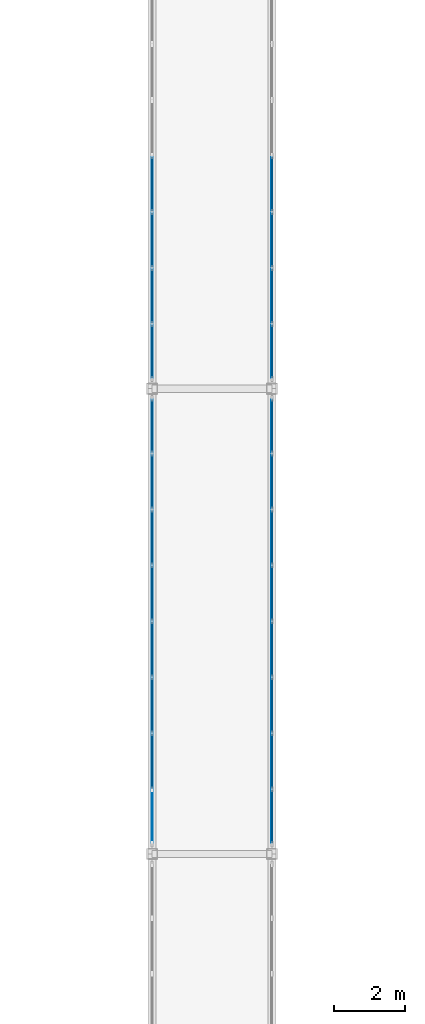
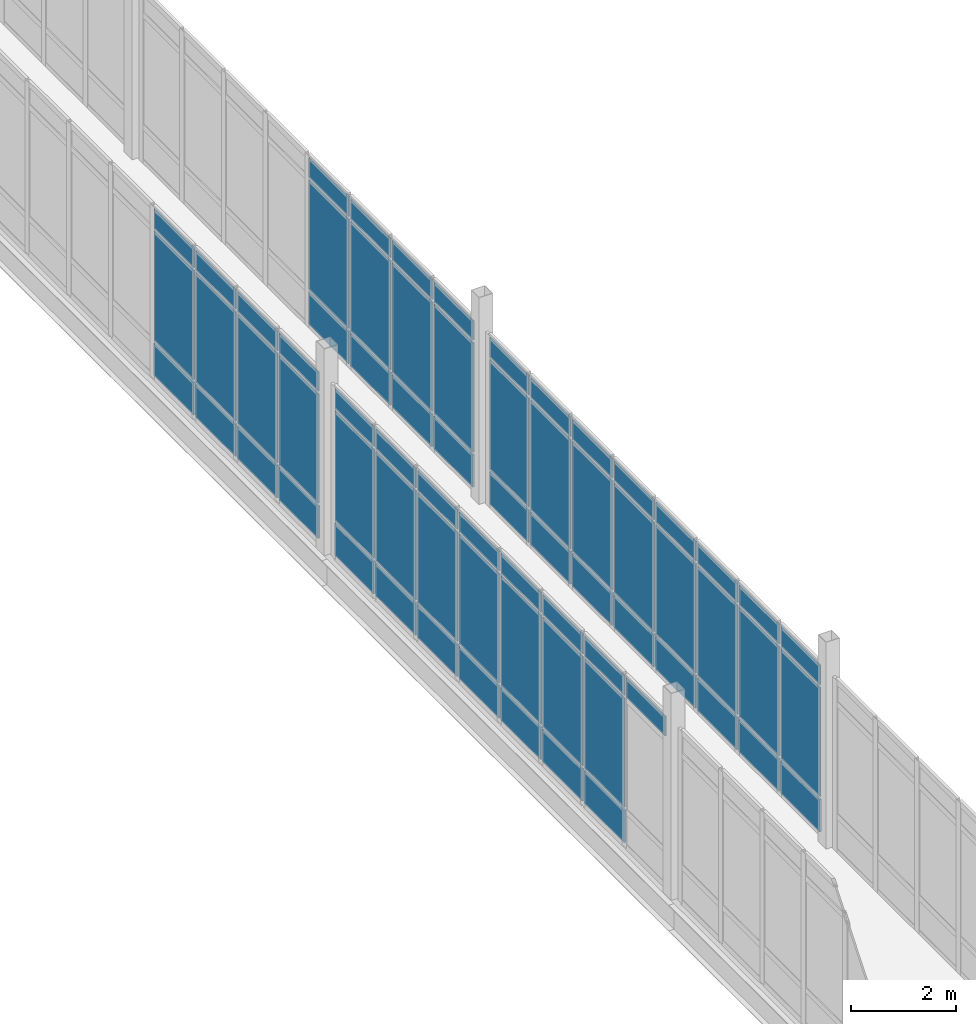
# One storey, part 75 of 125: 70 plates, 4 elements without a shape of their own.
"""IFC4 building model written with IfcOpenShell, lengths in metres."""

from ifc_helpers import new_model, si_unit, direction, frame, origin, origin_2d, place, context, subcontext, project, spatial, rectangle, extrude, material, layer, layer_set, type_object, element, aggregate, save


model = new_model("IFC4")

# Units and contexts
model_context = context("Model", 3, precision=1e-05, world=origin(), true_north=direction((0.0, 1.0)))
body_context = subcontext(model_context, "Body", "Model", "MODEL_VIEW")
ifc_project = project(units=[si_unit("LENGTHUNIT", "METRE"), si_unit("AREAUNIT", "SQUARE_METRE"), si_unit("VOLUMEUNIT", "CUBIC_METRE"), si_unit("PLANEANGLEUNIT", "RADIAN"), si_unit("MASSUNIT", "GRAM", prefix="KILO")], contexts=[model_context])

# Site, building, storey
site_placement = place(None, origin())
site = spatial("IfcSite", under=ifc_project, at=site_placement, CompositionType="ELEMENT")
building_placement = place(site_placement, origin())
building = spatial("IfcBuilding", under=site, at=building_placement, Name="Dornvale Research Institute", CompositionType="ELEMENT")
storey_placement = place(building_placement, frame((0.0, 0.0, 5.39990234375)))
storey = spatial("IfcBuildingStorey", under=building, at=storey_placement, Name="L01", CompositionType="ELEMENT", Elevation=5.39990234375)

# Curtain wall, plates
ifc_material_1 = material(Name="Low-E Argon Double Insulating Glazing Unit", Category="glass")
curtain_wall_type = type_object("IfcCurtainWallType", Name="UnitisedCurtainWall_V2_12700x4000", PredefinedType="USERDEFINED", material=ifc_material_1)
curtain_wall_1_placement = place(storey_placement, origin())
curtain_wall_1 = element("IfcCurtainWall", 1, at=curtain_wall_1_placement, inside=storey, type_object=curtain_wall_type, Name="L01 V2 unitised curtain wall CW-42 #233", ObjectType="UNITISED CURTAIN WALL", PredefinedType="USERDEFINED")
ifc_material_2 = material(Name="Insulated Ceramic-Frit Spandrel Glass Panel", Category="glass")
ifc_layer_1 = layer(ifc_material_2, 0.0419921875)
ifc_layer_set_1 = layer_set([ifc_layer_1], Name="Insulated Ceramic-Frit Spandrel Glass Panel")
plate_type_1 = type_object("IfcPlateType", Name="CurtainPanel_Spandrel_42", PredefinedType="CURTAIN_PANEL", material=ifc_layer_set_1)
plate_1_placement = place(storey_placement, frame((140.199951171875, 42.231201171875, 0.065185546875), z_axis=(0.0, 0.0, 1.0), x_axis=(0.0, 1.0, 0.0)))
plate_1 = element("IfcPlate", 2, at=plate_1_placement, type_object=plate_type_1, Name="CW-42 panel 2.1", PredefinedType="CURTAIN_PANEL", context=body_context, shape_type="SweptSolid", body=[
    extrude(rectangle(XDim=1.5224609375, YDim=0.0419921875, at=origin_2d()), origin(), (0.0, 0.0, 1.0), 0.75244140625),
])
plate_2_placement = place(storey_placement, frame((140.199951171875, 43.81884765625, 0.065185546875), z_axis=(0.0, 0.0, 1.0), x_axis=(0.0, 1.0, 0.0)))
plate_2 = element("IfcPlate", 3, at=plate_2_placement, type_object=plate_type_1, Name="CW-42 panel 3.1", PredefinedType="CURTAIN_PANEL", context=body_context, shape_type="SweptSolid", body=[
    extrude(rectangle(XDim=1.5224609375, YDim=0.0419921875, at=origin_2d()), origin(), (0.0, 0.0, 1.0), 0.75244140625),
])
plate_3_placement = place(storey_placement, frame((140.199951171875, 45.40625, 0.065185546875), z_axis=(0.0, 0.0, 1.0), x_axis=(0.0, 1.0, 0.0)))
plate_3 = element("IfcPlate", 4, at=plate_3_placement, type_object=plate_type_1, Name="CW-42 panel 4.1", PredefinedType="CURTAIN_PANEL", context=body_context, shape_type="SweptSolid", body=[
    extrude(rectangle(XDim=1.5224609375, YDim=0.0419921875, at=origin_2d()), origin(), (0.0, 0.0, 1.0), 0.75244140625),
])
plate_4_placement = place(storey_placement, frame((140.199951171875, 46.99365234375, 0.065185546875), z_axis=(0.0, 0.0, 1.0), x_axis=(0.0, 1.0, 0.0)))
plate_4 = element("IfcPlate", 5, at=plate_4_placement, type_object=plate_type_1, Name="CW-42 panel 5.1", PredefinedType="CURTAIN_PANEL", context=body_context, shape_type="SweptSolid", body=[
    extrude(rectangle(XDim=1.5224609375, YDim=0.0419921875, at=origin_2d()), origin(), (0.0, 0.0, 1.0), 0.75244140625),
])
plate_5_placement = place(storey_placement, frame((140.199951171875, 48.581298828125, 0.065185546875), z_axis=(0.0, 0.0, 1.0), x_axis=(0.0, 1.0, 0.0)))
plate_5 = element("IfcPlate", 6, at=plate_5_placement, type_object=plate_type_1, Name="CW-42 panel 6.1", PredefinedType="CURTAIN_PANEL", context=body_context, shape_type="SweptSolid", body=[
    extrude(rectangle(XDim=1.5224609375, YDim=0.0419921875, at=origin_2d()), origin(), (0.0, 0.0, 1.0), 0.75244140625),
])
plate_6_placement = place(storey_placement, frame((140.199951171875, 50.168701171875, 0.065185546875), z_axis=(0.0, 0.0, 1.0), x_axis=(0.0, 1.0, 0.0)))
plate_6 = element("IfcPlate", 7, at=plate_6_placement, type_object=plate_type_1, Name="CW-42 panel 7.1", PredefinedType="CURTAIN_PANEL", context=body_context, shape_type="SweptSolid", body=[
    extrude(rectangle(XDim=1.5224609375, YDim=0.0419921875, at=origin_2d()), origin(), (0.0, 0.0, 1.0), 0.75244140625),
])
plate_7_placement = place(storey_placement, frame((140.199951171875, 51.739990234375, 0.065185546875), z_axis=(0.0, 0.0, 1.0), x_axis=(0.0, 1.0, 0.0)))
plate_7 = element("IfcPlate", 8, at=plate_7_placement, type_object=plate_type_1, Name="CW-42 panel 8.1", PredefinedType="CURTAIN_PANEL", context=body_context, shape_type="SweptSolid", body=[
    extrude(rectangle(XDim=1.489990234375, YDim=0.0419921875, at=origin_2d()), origin(), (0.0, 0.0, 1.0), 0.75244140625),
])

curtain_wall_2_placement = place(storey_placement, origin())
curtain_wall_2 = element("IfcCurtainWall", 9, at=curtain_wall_2_placement, inside=storey, type_object=curtain_wall_type, Name="L01 V2 unitised curtain wall CW-42 #234", ObjectType="UNITISED CURTAIN WALL", PredefinedType="USERDEFINED")
plate_8_placement = place(storey_placement, frame((143.60009765625, 51.739990234375, 0.065185546875), z_axis=(0.0, 0.0, 1.0), x_axis=(0.0, -1.0, 0.0)))
plate_8 = element("IfcPlate", 10, at=plate_8_placement, type_object=plate_type_1, Name="CW-42 panel 1.1", PredefinedType="CURTAIN_PANEL", context=body_context, shape_type="SweptSolid", body=[
    extrude(rectangle(XDim=1.489990234375, YDim=0.0419921875, at=origin_2d()), origin(), (0.0, 0.0, 1.0), 0.75244140625),
])
plate_9_placement = place(storey_placement, frame((143.60009765625, 50.168701171875, 0.065185546875), z_axis=(0.0, 0.0, 1.0), x_axis=(0.0, -1.0, 0.0)))
plate_9 = element("IfcPlate", 11, at=plate_9_placement, type_object=plate_type_1, Name="CW-42 panel 2.1", PredefinedType="CURTAIN_PANEL", context=body_context, shape_type="SweptSolid", body=[
    extrude(rectangle(XDim=1.5224609375, YDim=0.0419921875, at=origin_2d()), origin(), (0.0, 0.0, 1.0), 0.75244140625),
])
plate_10_placement = place(storey_placement, frame((143.60009765625, 48.581298828125, 0.065185546875), z_axis=(0.0, 0.0, 1.0), x_axis=(0.0, -1.0, 0.0)))
plate_10 = element("IfcPlate", 12, at=plate_10_placement, type_object=plate_type_1, Name="CW-42 panel 3.1", PredefinedType="CURTAIN_PANEL", context=body_context, shape_type="SweptSolid", body=[
    extrude(rectangle(XDim=1.5224609375, YDim=0.0419921875, at=origin_2d()), origin(), (0.0, 0.0, 1.0), 0.75244140625),
])
plate_11_placement = place(storey_placement, frame((143.60009765625, 46.99365234375, 0.065185546875), z_axis=(0.0, 0.0, 1.0), x_axis=(0.0, -1.0, 0.0)))
plate_11 = element("IfcPlate", 13, at=plate_11_placement, type_object=plate_type_1, Name="CW-42 panel 4.1", PredefinedType="CURTAIN_PANEL", context=body_context, shape_type="SweptSolid", body=[
    extrude(rectangle(XDim=1.5224609375, YDim=0.0419921875, at=origin_2d()), origin(), (0.0, 0.0, 1.0), 0.75244140625),
])
plate_12_placement = place(storey_placement, frame((143.60009765625, 45.40625, 0.065185546875), z_axis=(0.0, 0.0, 1.0), x_axis=(0.0, -1.0, 0.0)))
plate_12 = element("IfcPlate", 14, at=plate_12_placement, type_object=plate_type_1, Name="CW-42 panel 5.1", PredefinedType="CURTAIN_PANEL", context=body_context, shape_type="SweptSolid", body=[
    extrude(rectangle(XDim=1.5224609375, YDim=0.0419921875, at=origin_2d()), origin(), (0.0, 0.0, 1.0), 0.75244140625),
])
plate_13_placement = place(storey_placement, frame((143.60009765625, 43.81884765625, 0.065185546875), z_axis=(0.0, 0.0, 1.0), x_axis=(0.0, -1.0, 0.0)))
plate_13 = element("IfcPlate", 15, at=plate_13_placement, type_object=plate_type_1, Name="CW-42 panel 6.1", PredefinedType="CURTAIN_PANEL", context=body_context, shape_type="SweptSolid", body=[
    extrude(rectangle(XDim=1.5224609375, YDim=0.0419921875, at=origin_2d()), origin(), (0.0, 0.0, 1.0), 0.75244140625),
])
plate_14_placement = place(storey_placement, frame((143.60009765625, 42.231201171875, 0.065185546875), z_axis=(0.0, 0.0, 1.0), x_axis=(0.0, -1.0, 0.0)))
plate_14 = element("IfcPlate", 16, at=plate_14_placement, type_object=plate_type_1, Name="CW-42 panel 7.1", PredefinedType="CURTAIN_PANEL", context=body_context, shape_type="SweptSolid", body=[
    extrude(rectangle(XDim=1.5224609375, YDim=0.0419921875, at=origin_2d()), origin(), (0.0, 0.0, 1.0), 0.75244140625),
])
plate_15_placement = place(storey_placement, frame((143.60009765625, 40.659912109375, 0.065185546875), z_axis=(0.0, 0.0, 1.0), x_axis=(0.0, -1.0, 0.0)))
plate_15 = element("IfcPlate", 17, at=plate_15_placement, type_object=plate_type_1, Name="CW-42 panel 8.1", PredefinedType="CURTAIN_PANEL", context=body_context, shape_type="SweptSolid", body=[
    extrude(rectangle(XDim=1.489990234375, YDim=0.0419921875, at=origin_2d()), origin(), (0.0, 0.0, 1.0), 0.75244140625),
])

curtain_wall_3_placement = place(storey_placement, origin())
curtain_wall_3 = element("IfcCurtainWall", 18, at=curtain_wall_3_placement, inside=storey, type_object=curtain_wall_type, Name="L01 V2 unitised curtain wall CW-42 #235", ObjectType="UNITISED CURTAIN WALL", PredefinedType="USERDEFINED")
plate_16_placement = place(storey_placement, frame((140.199951171875, 53.860107421875, 0.065185546875), z_axis=(0.0, 0.0, 1.0), x_axis=(0.0, 1.0, 0.0)))
plate_16 = element("IfcPlate", 19, at=plate_16_placement, type_object=plate_type_1, Name="CW-42 panel 1.1", PredefinedType="CURTAIN_PANEL", context=body_context, shape_type="SweptSolid", body=[
    extrude(rectangle(XDim=1.489990234375, YDim=0.0419921875, at=origin_2d()), origin(), (0.0, 0.0, 1.0), 0.75244140625),
])
plate_17_placement = place(storey_placement, frame((140.199951171875, 55.43115234375, 0.065185546875), z_axis=(0.0, 0.0, 1.0), x_axis=(0.0, 1.0, 0.0)))
plate_17 = element("IfcPlate", 20, at=plate_17_placement, type_object=plate_type_1, Name="CW-42 panel 2.1", PredefinedType="CURTAIN_PANEL", context=body_context, shape_type="SweptSolid", body=[
    extrude(rectangle(XDim=1.5224609375, YDim=0.0419921875, at=origin_2d()), origin(), (0.0, 0.0, 1.0), 0.75244140625),
])
plate_18_placement = place(storey_placement, frame((140.199951171875, 57.018798828125, 0.065185546875), z_axis=(0.0, 0.0, 1.0), x_axis=(0.0, 1.0, 0.0)))
plate_18 = element("IfcPlate", 21, at=plate_18_placement, type_object=plate_type_1, Name="CW-42 panel 3.1", PredefinedType="CURTAIN_PANEL", context=body_context, shape_type="SweptSolid", body=[
    extrude(rectangle(XDim=1.5224609375, YDim=0.0419921875, at=origin_2d()), origin(), (0.0, 0.0, 1.0), 0.75244140625),
])
plate_19_placement = place(storey_placement, frame((140.199951171875, 58.606201171875, 0.065185546875), z_axis=(0.0, 0.0, 1.0), x_axis=(0.0, 1.0, 0.0)))
plate_19 = element("IfcPlate", 22, at=plate_19_placement, type_object=plate_type_1, Name="CW-42 panel 4.1", PredefinedType="CURTAIN_PANEL", context=body_context, shape_type="SweptSolid", body=[
    extrude(rectangle(XDim=1.5224609375, YDim=0.0419921875, at=origin_2d()), origin(), (0.0, 0.0, 1.0), 0.75244140625),
])

curtain_wall_4_placement = place(storey_placement, origin())
curtain_wall_4 = element("IfcCurtainWall", 23, at=curtain_wall_4_placement, inside=storey, type_object=curtain_wall_type, Name="L01 V2 unitised curtain wall CW-42 #236", ObjectType="UNITISED CURTAIN WALL", PredefinedType="USERDEFINED")
plate_20_placement = place(storey_placement, frame((143.60009765625, 58.606201171875, 0.065185546875), z_axis=(0.0, 0.0, 1.0), x_axis=(0.0, -1.0, 0.0)))
plate_20 = element("IfcPlate", 24, at=plate_20_placement, type_object=plate_type_1, Name="CW-42 panel 5.1", PredefinedType="CURTAIN_PANEL", context=body_context, shape_type="SweptSolid", body=[
    extrude(rectangle(XDim=1.5224609375, YDim=0.0419921875, at=origin_2d()), origin(), (0.0, 0.0, 1.0), 0.75244140625),
])
plate_21_placement = place(storey_placement, frame((143.60009765625, 57.018798828125, 0.065185546875), z_axis=(0.0, 0.0, 1.0), x_axis=(0.0, -1.0, 0.0)))
plate_21 = element("IfcPlate", 25, at=plate_21_placement, type_object=plate_type_1, Name="CW-42 panel 6.1", PredefinedType="CURTAIN_PANEL", context=body_context, shape_type="SweptSolid", body=[
    extrude(rectangle(XDim=1.5224609375, YDim=0.0419921875, at=origin_2d()), origin(), (0.0, 0.0, 1.0), 0.75244140625),
])
plate_22_placement = place(storey_placement, frame((143.60009765625, 55.43115234375, 0.065185546875), z_axis=(0.0, 0.0, 1.0), x_axis=(0.0, -1.0, 0.0)))
plate_22 = element("IfcPlate", 26, at=plate_22_placement, type_object=plate_type_1, Name="CW-42 panel 7.1", PredefinedType="CURTAIN_PANEL", context=body_context, shape_type="SweptSolid", body=[
    extrude(rectangle(XDim=1.5224609375, YDim=0.0419921875, at=origin_2d()), origin(), (0.0, 0.0, 1.0), 0.75244140625),
])
plate_23_placement = place(storey_placement, frame((143.60009765625, 53.860107421875, 0.065185546875), z_axis=(0.0, 0.0, 1.0), x_axis=(0.0, -1.0, 0.0)))
plate_23 = element("IfcPlate", 27, at=plate_23_placement, type_object=plate_type_1, Name="CW-42 panel 8.1", PredefinedType="CURTAIN_PANEL", context=body_context, shape_type="SweptSolid", body=[
    extrude(rectangle(XDim=1.489990234375, YDim=0.0419921875, at=origin_2d()), origin(), (0.0, 0.0, 1.0), 0.75244140625),
])

# Plate
ifc_material_3 = material(Name="Low-E Argon Double Insulating Glazing Unit", Category="glass")
ifc_layer_2 = layer(ifc_material_3, 0.028076171875)
ifc_layer_set_2 = layer_set([ifc_layer_2], Name="Low-E Argon Double Insulating Glazing Unit")
plate_type_2 = type_object("IfcPlateType", Name="CurtainPanel_Vision_28", PredefinedType="CURTAIN_PANEL", material=ifc_layer_set_2)
plate_24_placement = place(storey_placement, frame((140.199951171875, 40.659912109375, 3.482421875), z_axis=(0.0, 0.0, 1.0), x_axis=(0.0, 1.0, 0.0)))
plate_24 = element("IfcPlate", 28, at=plate_24_placement, type_object=plate_type_2, Name="CW-42 panel 1.3", PredefinedType="CURTAIN_PANEL", context=body_context, shape_type="SweptSolid", body=[
    extrude(rectangle(XDim=1.489990234375, YDim=0.028076171875, at=origin_2d()), origin(), (0.0, 0.0, 1.0), 0.452392578125),
])

plate_25_placement = place(storey_placement, frame((140.199951171875, 42.231201171875, 0.8828125), z_axis=(0.0, 0.0, 1.0), x_axis=(0.0, 1.0, 0.0)))
plate_25 = element("IfcPlate", 29, at=plate_25_placement, type_object=plate_type_2, Name="CW-42 panel 2.2", PredefinedType="CURTAIN_PANEL", context=body_context, shape_type="SweptSolid", body=[
    extrude(rectangle(XDim=1.5224609375, YDim=0.028076171875, at=origin_2d()), origin(), (0.0, 0.0, 1.0), 2.534912109375),
])

plate_26_placement = place(storey_placement, frame((140.199951171875, 42.231201171875, 3.482421875), z_axis=(0.0, 0.0, 1.0), x_axis=(0.0, 1.0, 0.0)))
plate_26 = element("IfcPlate", 30, at=plate_26_placement, type_object=plate_type_2, Name="CW-42 panel 2.3", PredefinedType="CURTAIN_PANEL", context=body_context, shape_type="SweptSolid", body=[
    extrude(rectangle(XDim=1.5224609375, YDim=0.028076171875, at=origin_2d()), origin(), (0.0, 0.0, 1.0), 0.452392578125),
])

plate_27_placement = place(storey_placement, frame((140.199951171875, 43.81884765625, 0.8828125), z_axis=(0.0, 0.0, 1.0), x_axis=(0.0, 1.0, 0.0)))
plate_27 = element("IfcPlate", 31, at=plate_27_placement, type_object=plate_type_2, Name="CW-42 panel 3.2", PredefinedType="CURTAIN_PANEL", context=body_context, shape_type="SweptSolid", body=[
    extrude(rectangle(XDim=1.5224609375, YDim=0.028076171875, at=origin_2d()), origin(), (0.0, 0.0, 1.0), 2.534912109375),
])

plate_28_placement = place(storey_placement, frame((140.199951171875, 43.81884765625, 3.482421875), z_axis=(0.0, 0.0, 1.0), x_axis=(0.0, 1.0, 0.0)))
plate_28 = element("IfcPlate", 32, at=plate_28_placement, type_object=plate_type_2, Name="CW-42 panel 3.3", PredefinedType="CURTAIN_PANEL", context=body_context, shape_type="SweptSolid", body=[
    extrude(rectangle(XDim=1.5224609375, YDim=0.028076171875, at=origin_2d()), origin(), (0.0, 0.0, 1.0), 0.452392578125),
])

plate_29_placement = place(storey_placement, frame((140.199951171875, 45.40625, 0.8828125), z_axis=(0.0, 0.0, 1.0), x_axis=(0.0, 1.0, 0.0)))
plate_29 = element("IfcPlate", 33, at=plate_29_placement, type_object=plate_type_2, Name="CW-42 panel 4.2", PredefinedType="CURTAIN_PANEL", context=body_context, shape_type="SweptSolid", body=[
    extrude(rectangle(XDim=1.5224609375, YDim=0.028076171875, at=origin_2d()), origin(), (0.0, 0.0, 1.0), 2.534912109375),
])

plate_30_placement = place(storey_placement, frame((140.199951171875, 45.40625, 3.482421875), z_axis=(0.0, 0.0, 1.0), x_axis=(0.0, 1.0, 0.0)))
plate_30 = element("IfcPlate", 34, at=plate_30_placement, type_object=plate_type_2, Name="CW-42 panel 4.3", PredefinedType="CURTAIN_PANEL", context=body_context, shape_type="SweptSolid", body=[
    extrude(rectangle(XDim=1.5224609375, YDim=0.028076171875, at=origin_2d()), origin(), (0.0, 0.0, 1.0), 0.452392578125),
])

plate_31_placement = place(storey_placement, frame((140.199951171875, 46.99365234375, 0.8828125), z_axis=(0.0, 0.0, 1.0), x_axis=(0.0, 1.0, 0.0)))
plate_31 = element("IfcPlate", 35, at=plate_31_placement, type_object=plate_type_2, Name="CW-42 panel 5.2", PredefinedType="CURTAIN_PANEL", context=body_context, shape_type="SweptSolid", body=[
    extrude(rectangle(XDim=1.5224609375, YDim=0.028076171875, at=origin_2d()), origin(), (0.0, 0.0, 1.0), 2.534912109375),
])

plate_32_placement = place(storey_placement, frame((140.199951171875, 46.99365234375, 3.482421875), z_axis=(0.0, 0.0, 1.0), x_axis=(0.0, 1.0, 0.0)))
plate_32 = element("IfcPlate", 36, at=plate_32_placement, type_object=plate_type_2, Name="CW-42 panel 5.3", PredefinedType="CURTAIN_PANEL", context=body_context, shape_type="SweptSolid", body=[
    extrude(rectangle(XDim=1.5224609375, YDim=0.028076171875, at=origin_2d()), origin(), (0.0, 0.0, 1.0), 0.452392578125),
])

plate_33_placement = place(storey_placement, frame((140.199951171875, 48.581298828125, 0.8828125), z_axis=(0.0, 0.0, 1.0), x_axis=(0.0, 1.0, 0.0)))
plate_33 = element("IfcPlate", 37, at=plate_33_placement, type_object=plate_type_2, Name="CW-42 panel 6.2", PredefinedType="CURTAIN_PANEL", context=body_context, shape_type="SweptSolid", body=[
    extrude(rectangle(XDim=1.5224609375, YDim=0.028076171875, at=origin_2d()), origin(), (0.0, 0.0, 1.0), 2.534912109375),
])

plate_34_placement = place(storey_placement, frame((140.199951171875, 48.581298828125, 3.482421875), z_axis=(0.0, 0.0, 1.0), x_axis=(0.0, 1.0, 0.0)))
plate_34 = element("IfcPlate", 38, at=plate_34_placement, type_object=plate_type_2, Name="CW-42 panel 6.3", PredefinedType="CURTAIN_PANEL", context=body_context, shape_type="SweptSolid", body=[
    extrude(rectangle(XDim=1.5224609375, YDim=0.028076171875, at=origin_2d()), origin(), (0.0, 0.0, 1.0), 0.452392578125),
])

plate_35_placement = place(storey_placement, frame((140.199951171875, 50.168701171875, 0.8828125), z_axis=(0.0, 0.0, 1.0), x_axis=(0.0, 1.0, 0.0)))
plate_35 = element("IfcPlate", 39, at=plate_35_placement, type_object=plate_type_2, Name="CW-42 panel 7.2", PredefinedType="CURTAIN_PANEL", context=body_context, shape_type="SweptSolid", body=[
    extrude(rectangle(XDim=1.5224609375, YDim=0.028076171875, at=origin_2d()), origin(), (0.0, 0.0, 1.0), 2.534912109375),
])

plate_36_placement = place(storey_placement, frame((140.199951171875, 50.168701171875, 3.482421875), z_axis=(0.0, 0.0, 1.0), x_axis=(0.0, 1.0, 0.0)))
plate_36 = element("IfcPlate", 40, at=plate_36_placement, type_object=plate_type_2, Name="CW-42 panel 7.3", PredefinedType="CURTAIN_PANEL", context=body_context, shape_type="SweptSolid", body=[
    extrude(rectangle(XDim=1.5224609375, YDim=0.028076171875, at=origin_2d()), origin(), (0.0, 0.0, 1.0), 0.452392578125),
])

plate_37_placement = place(storey_placement, frame((140.199951171875, 51.739990234375, 0.8828125), z_axis=(0.0, 0.0, 1.0), x_axis=(0.0, 1.0, 0.0)))
plate_37 = element("IfcPlate", 41, at=plate_37_placement, type_object=plate_type_2, Name="CW-42 panel 8.2", PredefinedType="CURTAIN_PANEL", context=body_context, shape_type="SweptSolid", body=[
    extrude(rectangle(XDim=1.489990234375, YDim=0.028076171875, at=origin_2d()), origin(), (0.0, 0.0, 1.0), 2.534912109375),
])

plate_38_placement = place(storey_placement, frame((140.199951171875, 51.739990234375, 3.482421875), z_axis=(0.0, 0.0, 1.0), x_axis=(0.0, 1.0, 0.0)))
plate_38 = element("IfcPlate", 42, at=plate_38_placement, type_object=plate_type_2, Name="CW-42 panel 8.3", PredefinedType="CURTAIN_PANEL", context=body_context, shape_type="SweptSolid", body=[
    extrude(rectangle(XDim=1.489990234375, YDim=0.028076171875, at=origin_2d()), origin(), (0.0, 0.0, 1.0), 0.452392578125),
])

aggregate(curtain_wall_1, [plate_24, plate_1, plate_25, plate_26, plate_2, plate_27, plate_28, plate_3, plate_29, plate_30, plate_4, plate_31, plate_32, plate_5, plate_33, plate_34, plate_6, plate_35, plate_36, plate_7, plate_37, plate_38])

plate_39_placement = place(storey_placement, frame((143.60009765625, 51.739990234375, 0.8828125), z_axis=(0.0, 0.0, 1.0), x_axis=(0.0, -1.0, 0.0)))
plate_39 = element("IfcPlate", 43, at=plate_39_placement, type_object=plate_type_2, Name="CW-42 panel 1.2", PredefinedType="CURTAIN_PANEL", context=body_context, shape_type="SweptSolid", body=[
    extrude(rectangle(XDim=1.489990234375, YDim=0.028076171875, at=origin_2d()), origin(), (0.0, 0.0, 1.0), 2.534912109375),
])

plate_40_placement = place(storey_placement, frame((143.60009765625, 51.739990234375, 3.482421875), z_axis=(0.0, 0.0, 1.0), x_axis=(0.0, -1.0, 0.0)))
plate_40 = element("IfcPlate", 44, at=plate_40_placement, type_object=plate_type_2, Name="CW-42 panel 1.3", PredefinedType="CURTAIN_PANEL", context=body_context, shape_type="SweptSolid", body=[
    extrude(rectangle(XDim=1.489990234375, YDim=0.028076171875, at=origin_2d()), origin(), (0.0, 0.0, 1.0), 0.452392578125),
])

plate_41_placement = place(storey_placement, frame((143.60009765625, 50.168701171875, 0.8828125), z_axis=(0.0, 0.0, 1.0), x_axis=(0.0, -1.0, 0.0)))
plate_41 = element("IfcPlate", 45, at=plate_41_placement, type_object=plate_type_2, Name="CW-42 panel 2.2", PredefinedType="CURTAIN_PANEL", context=body_context, shape_type="SweptSolid", body=[
    extrude(rectangle(XDim=1.5224609375, YDim=0.028076171875, at=origin_2d()), origin(), (0.0, 0.0, 1.0), 2.534912109375),
])

plate_42_placement = place(storey_placement, frame((143.60009765625, 50.168701171875, 3.482421875), z_axis=(0.0, 0.0, 1.0), x_axis=(0.0, -1.0, 0.0)))
plate_42 = element("IfcPlate", 46, at=plate_42_placement, type_object=plate_type_2, Name="CW-42 panel 2.3", PredefinedType="CURTAIN_PANEL", context=body_context, shape_type="SweptSolid", body=[
    extrude(rectangle(XDim=1.5224609375, YDim=0.028076171875, at=origin_2d()), origin(), (0.0, 0.0, 1.0), 0.452392578125),
])

plate_43_placement = place(storey_placement, frame((143.60009765625, 48.581298828125, 0.8828125), z_axis=(0.0, 0.0, 1.0), x_axis=(0.0, -1.0, 0.0)))
plate_43 = element("IfcPlate", 47, at=plate_43_placement, type_object=plate_type_2, Name="CW-42 panel 3.2", PredefinedType="CURTAIN_PANEL", context=body_context, shape_type="SweptSolid", body=[
    extrude(rectangle(XDim=1.5224609375, YDim=0.028076171875, at=origin_2d()), origin(), (0.0, 0.0, 1.0), 2.534912109375),
])

plate_44_placement = place(storey_placement, frame((143.60009765625, 48.581298828125, 3.482421875), z_axis=(0.0, 0.0, 1.0), x_axis=(0.0, -1.0, 0.0)))
plate_44 = element("IfcPlate", 48, at=plate_44_placement, type_object=plate_type_2, Name="CW-42 panel 3.3", PredefinedType="CURTAIN_PANEL", context=body_context, shape_type="SweptSolid", body=[
    extrude(rectangle(XDim=1.5224609375, YDim=0.028076171875, at=origin_2d()), origin(), (0.0, 0.0, 1.0), 0.452392578125),
])

plate_45_placement = place(storey_placement, frame((143.60009765625, 46.99365234375, 0.8828125), z_axis=(0.0, 0.0, 1.0), x_axis=(0.0, -1.0, 0.0)))
plate_45 = element("IfcPlate", 49, at=plate_45_placement, type_object=plate_type_2, Name="CW-42 panel 4.2", PredefinedType="CURTAIN_PANEL", context=body_context, shape_type="SweptSolid", body=[
    extrude(rectangle(XDim=1.5224609375, YDim=0.028076171875, at=origin_2d()), origin(), (0.0, 0.0, 1.0), 2.534912109375),
])

plate_46_placement = place(storey_placement, frame((143.60009765625, 46.99365234375, 3.482421875), z_axis=(0.0, 0.0, 1.0), x_axis=(0.0, -1.0, 0.0)))
plate_46 = element("IfcPlate", 50, at=plate_46_placement, type_object=plate_type_2, Name="CW-42 panel 4.3", PredefinedType="CURTAIN_PANEL", context=body_context, shape_type="SweptSolid", body=[
    extrude(rectangle(XDim=1.5224609375, YDim=0.028076171875, at=origin_2d()), origin(), (0.0, 0.0, 1.0), 0.452392578125),
])

plate_47_placement = place(storey_placement, frame((143.60009765625, 45.40625, 0.8828125), z_axis=(0.0, 0.0, 1.0), x_axis=(0.0, -1.0, 0.0)))
plate_47 = element("IfcPlate", 51, at=plate_47_placement, type_object=plate_type_2, Name="CW-42 panel 5.2", PredefinedType="CURTAIN_PANEL", context=body_context, shape_type="SweptSolid", body=[
    extrude(rectangle(XDim=1.5224609375, YDim=0.028076171875, at=origin_2d()), origin(), (0.0, 0.0, 1.0), 2.534912109375),
])

plate_48_placement = place(storey_placement, frame((143.60009765625, 45.40625, 3.482421875), z_axis=(0.0, 0.0, 1.0), x_axis=(0.0, -1.0, 0.0)))
plate_48 = element("IfcPlate", 52, at=plate_48_placement, type_object=plate_type_2, Name="CW-42 panel 5.3", PredefinedType="CURTAIN_PANEL", context=body_context, shape_type="SweptSolid", body=[
    extrude(rectangle(XDim=1.5224609375, YDim=0.028076171875, at=origin_2d()), origin(), (0.0, 0.0, 1.0), 0.452392578125),
])

plate_49_placement = place(storey_placement, frame((143.60009765625, 43.81884765625, 0.8828125), z_axis=(0.0, 0.0, 1.0), x_axis=(0.0, -1.0, 0.0)))
plate_49 = element("IfcPlate", 53, at=plate_49_placement, type_object=plate_type_2, Name="CW-42 panel 6.2", PredefinedType="CURTAIN_PANEL", context=body_context, shape_type="SweptSolid", body=[
    extrude(rectangle(XDim=1.5224609375, YDim=0.028076171875, at=origin_2d()), origin(), (0.0, 0.0, 1.0), 2.534912109375),
])

plate_50_placement = place(storey_placement, frame((143.60009765625, 43.81884765625, 3.482421875), z_axis=(0.0, 0.0, 1.0), x_axis=(0.0, -1.0, 0.0)))
plate_50 = element("IfcPlate", 54, at=plate_50_placement, type_object=plate_type_2, Name="CW-42 panel 6.3", PredefinedType="CURTAIN_PANEL", context=body_context, shape_type="SweptSolid", body=[
    extrude(rectangle(XDim=1.5224609375, YDim=0.028076171875, at=origin_2d()), origin(), (0.0, 0.0, 1.0), 0.452392578125),
])

plate_51_placement = place(storey_placement, frame((143.60009765625, 42.231201171875, 0.8828125), z_axis=(0.0, 0.0, 1.0), x_axis=(0.0, -1.0, 0.0)))
plate_51 = element("IfcPlate", 55, at=plate_51_placement, type_object=plate_type_2, Name="CW-42 panel 7.2", PredefinedType="CURTAIN_PANEL", context=body_context, shape_type="SweptSolid", body=[
    extrude(rectangle(XDim=1.5224609375, YDim=0.028076171875, at=origin_2d()), origin(), (0.0, 0.0, 1.0), 2.534912109375),
])

plate_52_placement = place(storey_placement, frame((143.60009765625, 42.231201171875, 3.482421875), z_axis=(0.0, 0.0, 1.0), x_axis=(0.0, -1.0, 0.0)))
plate_52 = element("IfcPlate", 56, at=plate_52_placement, type_object=plate_type_2, Name="CW-42 panel 7.3", PredefinedType="CURTAIN_PANEL", context=body_context, shape_type="SweptSolid", body=[
    extrude(rectangle(XDim=1.5224609375, YDim=0.028076171875, at=origin_2d()), origin(), (0.0, 0.0, 1.0), 0.452392578125),
])

plate_53_placement = place(storey_placement, frame((143.60009765625, 40.659912109375, 0.8828125), z_axis=(0.0, 0.0, 1.0), x_axis=(0.0, -1.0, 0.0)))
plate_53 = element("IfcPlate", 57, at=plate_53_placement, type_object=plate_type_2, Name="CW-42 panel 8.2", PredefinedType="CURTAIN_PANEL", context=body_context, shape_type="SweptSolid", body=[
    extrude(rectangle(XDim=1.489990234375, YDim=0.028076171875, at=origin_2d()), origin(), (0.0, 0.0, 1.0), 2.534912109375),
])

plate_54_placement = place(storey_placement, frame((143.60009765625, 40.659912109375, 3.482421875), z_axis=(0.0, 0.0, 1.0), x_axis=(0.0, -1.0, 0.0)))
plate_54 = element("IfcPlate", 58, at=plate_54_placement, type_object=plate_type_2, Name="CW-42 panel 8.3", PredefinedType="CURTAIN_PANEL", context=body_context, shape_type="SweptSolid", body=[
    extrude(rectangle(XDim=1.489990234375, YDim=0.028076171875, at=origin_2d()), origin(), (0.0, 0.0, 1.0), 0.452392578125),
])

aggregate(curtain_wall_2, [plate_8, plate_39, plate_40, plate_9, plate_41, plate_42, plate_10, plate_43, plate_44, plate_11, plate_45, plate_46, plate_12, plate_47, plate_48, plate_13, plate_49, plate_50, plate_14, plate_51, plate_52, plate_15, plate_53, plate_54])

plate_55_placement = place(storey_placement, frame((140.199951171875, 53.860107421875, 0.8828125), z_axis=(0.0, 0.0, 1.0), x_axis=(0.0, 1.0, 0.0)))
plate_55 = element("IfcPlate", 59, at=plate_55_placement, type_object=plate_type_2, Name="CW-42 panel 1.2", PredefinedType="CURTAIN_PANEL", context=body_context, shape_type="SweptSolid", body=[
    extrude(rectangle(XDim=1.489990234375, YDim=0.028076171875, at=origin_2d()), origin(), (0.0, 0.0, 1.0), 2.534912109375),
])

plate_56_placement = place(storey_placement, frame((140.199951171875, 53.860107421875, 3.482421875), z_axis=(0.0, 0.0, 1.0), x_axis=(0.0, 1.0, 0.0)))
plate_56 = element("IfcPlate", 60, at=plate_56_placement, type_object=plate_type_2, Name="CW-42 panel 1.3", PredefinedType="CURTAIN_PANEL", context=body_context, shape_type="SweptSolid", body=[
    extrude(rectangle(XDim=1.489990234375, YDim=0.028076171875, at=origin_2d()), origin(), (0.0, 0.0, 1.0), 0.452392578125),
])

plate_57_placement = place(storey_placement, frame((140.199951171875, 55.43115234375, 0.8828125), z_axis=(0.0, 0.0, 1.0), x_axis=(0.0, 1.0, 0.0)))
plate_57 = element("IfcPlate", 61, at=plate_57_placement, type_object=plate_type_2, Name="CW-42 panel 2.2", PredefinedType="CURTAIN_PANEL", context=body_context, shape_type="SweptSolid", body=[
    extrude(rectangle(XDim=1.5224609375, YDim=0.028076171875, at=origin_2d()), origin(), (0.0, 0.0, 1.0), 2.534912109375),
])

plate_58_placement = place(storey_placement, frame((140.199951171875, 55.43115234375, 3.482421875), z_axis=(0.0, 0.0, 1.0), x_axis=(0.0, 1.0, 0.0)))
plate_58 = element("IfcPlate", 62, at=plate_58_placement, type_object=plate_type_2, Name="CW-42 panel 2.3", PredefinedType="CURTAIN_PANEL", context=body_context, shape_type="SweptSolid", body=[
    extrude(rectangle(XDim=1.5224609375, YDim=0.028076171875, at=origin_2d()), origin(), (0.0, 0.0, 1.0), 0.452392578125),
])

plate_59_placement = place(storey_placement, frame((140.199951171875, 57.018798828125, 0.8828125), z_axis=(0.0, 0.0, 1.0), x_axis=(0.0, 1.0, 0.0)))
plate_59 = element("IfcPlate", 63, at=plate_59_placement, type_object=plate_type_2, Name="CW-42 panel 3.2", PredefinedType="CURTAIN_PANEL", context=body_context, shape_type="SweptSolid", body=[
    extrude(rectangle(XDim=1.5224609375, YDim=0.028076171875, at=origin_2d()), origin(), (0.0, 0.0, 1.0), 2.534912109375),
])

plate_60_placement = place(storey_placement, frame((140.199951171875, 57.018798828125, 3.482421875), z_axis=(0.0, 0.0, 1.0), x_axis=(0.0, 1.0, 0.0)))
plate_60 = element("IfcPlate", 64, at=plate_60_placement, type_object=plate_type_2, Name="CW-42 panel 3.3", PredefinedType="CURTAIN_PANEL", context=body_context, shape_type="SweptSolid", body=[
    extrude(rectangle(XDim=1.5224609375, YDim=0.028076171875, at=origin_2d()), origin(), (0.0, 0.0, 1.0), 0.452392578125),
])

plate_61_placement = place(storey_placement, frame((140.199951171875, 58.606201171875, 0.8828125), z_axis=(0.0, 0.0, 1.0), x_axis=(0.0, 1.0, 0.0)))
plate_61 = element("IfcPlate", 65, at=plate_61_placement, type_object=plate_type_2, Name="CW-42 panel 4.2", PredefinedType="CURTAIN_PANEL", context=body_context, shape_type="SweptSolid", body=[
    extrude(rectangle(XDim=1.5224609375, YDim=0.028076171875, at=origin_2d()), origin(), (0.0, 0.0, 1.0), 2.534912109375),
])

plate_62_placement = place(storey_placement, frame((140.199951171875, 58.606201171875, 3.482421875), z_axis=(0.0, 0.0, 1.0), x_axis=(0.0, 1.0, 0.0)))
plate_62 = element("IfcPlate", 66, at=plate_62_placement, type_object=plate_type_2, Name="CW-42 panel 4.3", PredefinedType="CURTAIN_PANEL", context=body_context, shape_type="SweptSolid", body=[
    extrude(rectangle(XDim=1.5224609375, YDim=0.028076171875, at=origin_2d()), origin(), (0.0, 0.0, 1.0), 0.452392578125),
])

aggregate(curtain_wall_3, [plate_16, plate_55, plate_56, plate_17, plate_57, plate_58, plate_18, plate_59, plate_60, plate_19, plate_61, plate_62])

plate_63_placement = place(storey_placement, frame((143.60009765625, 58.606201171875, 0.8828125), z_axis=(0.0, 0.0, 1.0), x_axis=(0.0, -1.0, 0.0)))
plate_63 = element("IfcPlate", 67, at=plate_63_placement, type_object=plate_type_2, Name="CW-42 panel 5.2", PredefinedType="CURTAIN_PANEL", context=body_context, shape_type="SweptSolid", body=[
    extrude(rectangle(XDim=1.5224609375, YDim=0.028076171875, at=origin_2d()), origin(), (0.0, 0.0, 1.0), 2.534912109375),
])

plate_64_placement = place(storey_placement, frame((143.60009765625, 58.606201171875, 3.482421875), z_axis=(0.0, 0.0, 1.0), x_axis=(0.0, -1.0, 0.0)))
plate_64 = element("IfcPlate", 68, at=plate_64_placement, type_object=plate_type_2, Name="CW-42 panel 5.3", PredefinedType="CURTAIN_PANEL", context=body_context, shape_type="SweptSolid", body=[
    extrude(rectangle(XDim=1.5224609375, YDim=0.028076171875, at=origin_2d()), origin(), (0.0, 0.0, 1.0), 0.452392578125),
])

plate_65_placement = place(storey_placement, frame((143.60009765625, 57.018798828125, 0.8828125), z_axis=(0.0, 0.0, 1.0), x_axis=(0.0, -1.0, 0.0)))
plate_65 = element("IfcPlate", 69, at=plate_65_placement, type_object=plate_type_2, Name="CW-42 panel 6.2", PredefinedType="CURTAIN_PANEL", context=body_context, shape_type="SweptSolid", body=[
    extrude(rectangle(XDim=1.5224609375, YDim=0.028076171875, at=origin_2d()), origin(), (0.0, 0.0, 1.0), 2.534912109375),
])

plate_66_placement = place(storey_placement, frame((143.60009765625, 57.018798828125, 3.482421875), z_axis=(0.0, 0.0, 1.0), x_axis=(0.0, -1.0, 0.0)))
plate_66 = element("IfcPlate", 70, at=plate_66_placement, type_object=plate_type_2, Name="CW-42 panel 6.3", PredefinedType="CURTAIN_PANEL", context=body_context, shape_type="SweptSolid", body=[
    extrude(rectangle(XDim=1.5224609375, YDim=0.028076171875, at=origin_2d()), origin(), (0.0, 0.0, 1.0), 0.452392578125),
])

plate_67_placement = place(storey_placement, frame((143.60009765625, 55.43115234375, 0.8828125), z_axis=(0.0, 0.0, 1.0), x_axis=(0.0, -1.0, 0.0)))
plate_67 = element("IfcPlate", 71, at=plate_67_placement, type_object=plate_type_2, Name="CW-42 panel 7.2", PredefinedType="CURTAIN_PANEL", context=body_context, shape_type="SweptSolid", body=[
    extrude(rectangle(XDim=1.5224609375, YDim=0.028076171875, at=origin_2d()), origin(), (0.0, 0.0, 1.0), 2.534912109375),
])

plate_68_placement = place(storey_placement, frame((143.60009765625, 55.43115234375, 3.482421875), z_axis=(0.0, 0.0, 1.0), x_axis=(0.0, -1.0, 0.0)))
plate_68 = element("IfcPlate", 72, at=plate_68_placement, type_object=plate_type_2, Name="CW-42 panel 7.3", PredefinedType="CURTAIN_PANEL", context=body_context, shape_type="SweptSolid", body=[
    extrude(rectangle(XDim=1.5224609375, YDim=0.028076171875, at=origin_2d()), origin(), (0.0, 0.0, 1.0), 0.452392578125),
])

plate_69_placement = place(storey_placement, frame((143.60009765625, 53.860107421875, 0.8828125), z_axis=(0.0, 0.0, 1.0), x_axis=(0.0, -1.0, 0.0)))
plate_69 = element("IfcPlate", 73, at=plate_69_placement, type_object=plate_type_2, Name="CW-42 panel 8.2", PredefinedType="CURTAIN_PANEL", context=body_context, shape_type="SweptSolid", body=[
    extrude(rectangle(XDim=1.489990234375, YDim=0.028076171875, at=origin_2d()), origin(), (0.0, 0.0, 1.0), 2.534912109375),
])

plate_70_placement = place(storey_placement, frame((143.60009765625, 53.860107421875, 3.482421875), z_axis=(0.0, 0.0, 1.0), x_axis=(0.0, -1.0, 0.0)))
plate_70 = element("IfcPlate", 74, at=plate_70_placement, type_object=plate_type_2, Name="CW-42 panel 8.3", PredefinedType="CURTAIN_PANEL", context=body_context, shape_type="SweptSolid", body=[
    extrude(rectangle(XDim=1.489990234375, YDim=0.028076171875, at=origin_2d()), origin(), (0.0, 0.0, 1.0), 0.452392578125),
])

aggregate(curtain_wall_4, [plate_20, plate_63, plate_64, plate_21, plate_65, plate_66, plate_22, plate_67, plate_68, plate_23, plate_69, plate_70])

save(model, "model.ifc")
